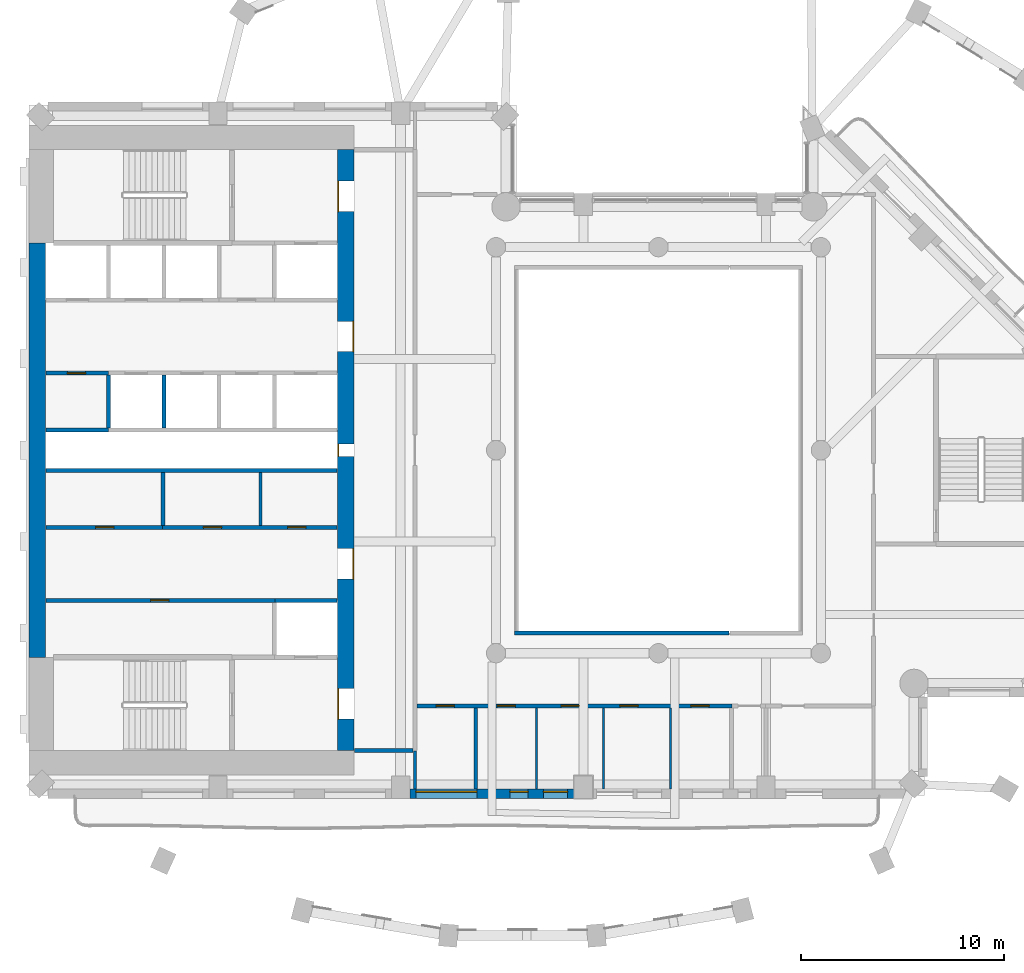
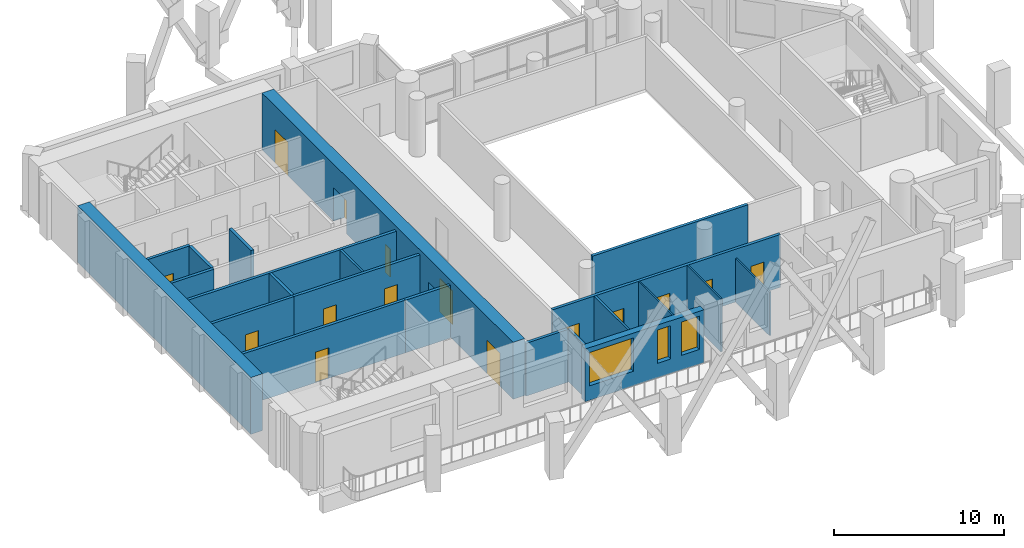
# One storey, part 4 of 15: 22 walls, 15 doors, 3 windows, 18 openings.
"""IFC4 building model written with IfcOpenShell, lengths in metres."""

from ifc_helpers import new_model, si_unit, direction, frame, frame_2d, origin, place, context, subcontext, project, spatial, rectangle, extrude, material, layer, layer_set, type_object, element, fill, save


model = new_model("IFC4")

# Units and contexts
model_context = context("Model", 3, precision=1e-05, world=origin(), true_north=direction((0.0, 1.0)))
body_context = subcontext(model_context, "Body", "Model", "MODEL_VIEW")
ifc_project = project(units=[si_unit("LENGTHUNIT", "METRE"), si_unit("AREAUNIT", "SQUARE_METRE"), si_unit("VOLUMEUNIT", "CUBIC_METRE"), si_unit("PLANEANGLEUNIT", "RADIAN"), si_unit("MASSUNIT", "GRAM", prefix="KILO")], contexts=[model_context])

# Site, building, storey
site_placement = place(None, origin())
site = spatial("IfcSite", under=ifc_project, at=site_placement, CompositionType="ELEMENT")
building_placement = place(site_placement, origin())
building = spatial("IfcBuilding", under=site, at=building_placement, Name="Cypress Arch Tower", CompositionType="ELEMENT")
storey_placement = place(building_placement, frame((0.0, 0.0, 205.60009765625)))
storey = spatial("IfcBuildingStorey", under=building, at=storey_placement, Name="L45", CompositionType="ELEMENT", Elevation=205.60009765625)

# Wall, openings, windows
ifc_material_1 = material(Name="Brick (red buff blend)", Category="masonry")
ifc_layer_1 = layer(ifc_material_1, 0.449951171875)
ifc_layer_set_1 = layer_set([ifc_layer_1], Name="Brick pier and spandrel wall BW450")
wall_type_1 = type_object("IfcWallType", Name="Brick pier and spandrel wall BW450", PredefinedType="SOLIDWALL", material=ifc_layer_set_1)
wall_1_placement = place(storey_placement, frame((-11.25, -16.925048828125, 0.0), z_axis=(0.0, 0.0, 1.0), x_axis=(1.0, 0.0, 0.0)))
wall_1 = element("IfcWall", 1, at=wall_1_placement, inside=storey, type_object=wall_type_1, Name="Brick wall L45 B01.2", PredefinedType="SOLIDWALL", context=body_context, shape_type="SweptSolid", body=[
    extrude(rectangle(XDim=8.10009765625, YDim=0.449951171875, at=frame_2d((4.050048828125, 0.0))), origin(), (0.0, 0.0, 1.0), 3.7998046875),
])
opening_1_placement = place(wall_1_placement, frame((0.300048828125, 0.0, 1.050048828125)))
opening_1 = element("IfcOpeningElement", 2, at=opening_1_placement, cuts=wall_1, Name="Opening W300OD", PredefinedType="OPENING", context=body_context, shape_type="SweptSolid", body=[
    extrude(rectangle(XDim=3.0, YDim=2.39990234375, at=frame_2d((1.5, 1.199951171875))), frame((0.0, 0.23486328125, 0.0), z_axis=(0.0, -1.0, 0.0), x_axis=(1.0, 0.0, 0.0)), (0.0, 0.0, 1.0), 0.469970703125),
])
opening_2_placement = place(wall_1_placement, frame((4.925048828125, 0.0, 1.050048828125)))
opening_2 = element("IfcOpeningElement", 3, at=opening_2_placement, cuts=wall_1, Name="Opening W090OD", PredefinedType="OPENING", context=body_context, shape_type="SweptSolid", body=[
    extrude(rectangle(XDim=0.89990234375, YDim=2.39990234375, at=frame_2d((0.449951171875, 1.199951171875))), frame((0.0, 0.23486328125, 0.0), z_axis=(0.0, -1.0, 0.0), x_axis=(1.0, 0.0, 0.0)), (0.0, 0.0, 1.0), 0.469970703125),
])
opening_3_placement = place(wall_1_placement, frame((6.574951171875, 0.0, 1.050048828125)))
opening_3 = element("IfcOpeningElement", 4, at=opening_3_placement, cuts=wall_1, Name="Opening W120OD", PredefinedType="OPENING", context=body_context, shape_type="SweptSolid", body=[
    extrude(rectangle(XDim=1.199951171875, YDim=2.39990234375, at=frame_2d((0.60009765625, 1.199951171875))), frame((0.0, 0.23486328125, 0.0), z_axis=(0.0, -1.0, 0.0), x_axis=(1.0, 0.0, 0.0)), (0.0, 0.0, 1.0), 0.469970703125),
])
ifc_material_2 = material(Name="Anodised aluminium, bronze finish, laminated low-emissivity double glazing, large-missile impact rated", Category="aluminium")
window_type_1 = type_object("IfcWindowType", Name="Window Office 1200x2400 debris-rated", PartitioningType="SINGLE_PANEL", PredefinedType="WINDOW", material=ifc_material_2)
window_1_placement = place(opening_3_placement, origin())
window_1 = element("IfcWindow", 5, at=window_1_placement, inside=storey, type_object=window_type_1, Name="Window L45 B01.2.2b", OverallHeight=2.39990234375, OverallWidth=1.199951171875, PartitioningType="SINGLE_PANEL", PredefinedType="WINDOW", context=body_context, shape_type="SweptSolid", body=[
    extrude(rectangle(XDim=1.199951171875, YDim=2.39990234375, at=frame_2d((0.60009765625, 1.199951171875))), frame((0.0, 0.135009765625, 0.0), z_axis=(0.0, -1.0, 0.0), x_axis=(1.0, 0.0, 0.0)), (0.0, 0.0, 1.0), 0.06005859375),
])
fill(opening_3, window_1)
ifc_material_3 = material(Name="Anodised aluminium, bronze finish, laminated low-emissivity double glazing, large-missile impact rated", Category="aluminium")
window_type_2 = type_object("IfcWindowType", Name="Window Office 3000x2400 debris-rated", PartitioningType="SINGLE_PANEL", PredefinedType="WINDOW", material=ifc_material_3)
window_2_placement = place(opening_1_placement, origin())
window_2 = element("IfcWindow", 6, at=window_2_placement, inside=storey, type_object=window_type_2, Name="Window L45 B01.2.1", OverallHeight=2.39990234375, OverallWidth=3.0, PartitioningType="SINGLE_PANEL", PredefinedType="WINDOW", context=body_context, shape_type="SweptSolid", body=[
    extrude(rectangle(XDim=3.0, YDim=2.39990234375, at=frame_2d((1.5, 1.199951171875))), frame((0.0, 0.135009765625, 0.0), z_axis=(0.0, -1.0, 0.0), x_axis=(1.0, 0.0, 0.0)), (0.0, 0.0, 1.0), 0.06005859375),
])
fill(opening_1, window_2)
ifc_material_4 = material(Name="Anodised aluminium, bronze finish, laminated low-emissivity double glazing, large-missile impact rated", Category="aluminium")
window_type_3 = type_object("IfcWindowType", Name="Window Office 900x2400 debris-rated", PartitioningType="SINGLE_PANEL", PredefinedType="WINDOW", material=ifc_material_4)
window_3_placement = place(opening_2_placement, origin())
window_3 = element("IfcWindow", 7, at=window_3_placement, inside=storey, type_object=window_type_3, Name="Window L45 B01.2.2", OverallHeight=2.39990234375, OverallWidth=0.89990234375, PartitioningType="SINGLE_PANEL", PredefinedType="WINDOW", context=body_context, shape_type="SweptSolid", body=[
    extrude(rectangle(XDim=0.89990234375, YDim=2.39990234375, at=frame_2d((0.449951171875, 1.199951171875))), frame((0.0, 0.135009765625, 0.0), z_axis=(0.0, -1.0, 0.0), x_axis=(1.0, 0.0, 0.0)), (0.0, 0.0, 1.0), 0.06005859375),
])
fill(opening_2, window_3)

# Wall, openings, doors
ifc_material_5 = material(Name="Concrete C70/85", Category="concrete")
ifc_layer_2 = layer(ifc_material_5, 0.800048828125)
ifc_layer_set_2 = layer_set([ifc_layer_2], Name="Core wall CW800 C70/85")
wall_type_2 = type_object("IfcWallType", Name="Core wall CW800 C70/85", PredefinedType="SHEAR", material=ifc_layer_set_2)
wall_2_placement = place(storey_placement, frame((-14.39990234375, -14.800048828125, 0.0), z_axis=(0.0, 0.0, 1.0), x_axis=(0.0, 1.0, 0.0)))
wall_2 = element("IfcWall", 8, at=wall_2_placement, inside=storey, type_object=wall_type_2, Name="Core wall", PredefinedType="SHEAR", context=body_context, shape_type="SweptSolid", body=[
    extrude(rectangle(XDim=29.60009765625, YDim=0.800048828125, at=frame_2d((14.800048828125, 0.0))), origin(), (0.0, 0.0, 1.0), 4.099853515625),
])
opening_4_placement = place(wall_2_placement, frame((1.550048828125, 0.0, 0.0)))
opening_4 = element("IfcOpeningElement", 9, at=opening_4_placement, cuts=wall_2, Name="Opening D07", PredefinedType="OPENING", context=body_context, shape_type="SweptSolid", body=[
    extrude(rectangle(XDim=1.5, YDim=2.39990234375, at=frame_2d((0.75, 1.199951171875))), frame((0.0, 0.409912109375, 0.0), z_axis=(0.0, -1.0, 0.0), x_axis=(1.0, 0.0, 0.0)), (0.0, 0.0, 1.0), 0.820068359375),
])
opening_5_placement = place(wall_2_placement, frame((26.550048828125, 0.0, 0.0)))
opening_5 = element("IfcOpeningElement", 10, at=opening_5_placement, cuts=wall_2, Name="Opening D07", PredefinedType="OPENING", context=body_context, shape_type="SweptSolid", body=[
    extrude(rectangle(XDim=1.5, YDim=2.39990234375, at=frame_2d((0.75, 1.199951171875))), frame((0.0, 0.409912109375, 0.0), z_axis=(0.0, -1.0, 0.0), x_axis=(1.0, 0.0, 0.0)), (0.0, 0.0, 1.0), 0.820068359375),
])
opening_6_placement = place(wall_2_placement, frame((8.449951171875, 0.0, 0.0)))
opening_6 = element("IfcOpeningElement", 11, at=opening_6_placement, cuts=wall_2, Name="Opening D07", PredefinedType="OPENING", context=body_context, shape_type="SweptSolid", body=[
    extrude(rectangle(XDim=1.5, YDim=2.39990234375, at=frame_2d((0.75, 1.199951171875))), frame((0.0, 0.409912109375, 0.0), z_axis=(0.0, -1.0, 0.0), x_axis=(1.0, 0.0, 0.0)), (0.0, 0.0, 1.0), 0.820068359375),
])
opening_7_placement = place(wall_2_placement, frame((19.64990234375, 0.0, 0.0)))
opening_7 = element("IfcOpeningElement", 12, at=opening_7_placement, cuts=wall_2, Name="Opening D07", PredefinedType="OPENING", context=body_context, shape_type="SweptSolid", body=[
    extrude(rectangle(XDim=1.5, YDim=2.39990234375, at=frame_2d((0.75, 1.199951171875))), frame((0.0, 0.409912109375, 0.0), z_axis=(0.0, -1.0, 0.0), x_axis=(1.0, 0.0, 0.0)), (0.0, 0.0, 1.0), 0.820068359375),
])
opening_8_placement = place(wall_2_placement, frame((14.5, 0.0, 0.0)))
opening_8 = element("IfcOpeningElement", 13, at=opening_8_placement, cuts=wall_2, Name="Opening D08", PredefinedType="OPENING", context=body_context, shape_type="SweptSolid", body=[
    extrude(rectangle(XDim=0.60009765625, YDim=2.0, at=frame_2d((0.300048828125, 1.0))), frame((0.0, 0.409912109375, 0.0), z_axis=(0.0, -1.0, 0.0), x_axis=(1.0, 0.0, 0.0)), (0.0, 0.0, 1.0), 0.820068359375),
])
ifc_material_6 = material(Name="Steel framed glazed door, fire resisting", Category="steel")
door_type_1 = type_object("IfcDoorType", Name="Lobby door D07 1500x2400", OperationType="DOUBLE_DOOR_SINGLE_SWING", PredefinedType="DOOR", material=ifc_material_6)
door_1_placement = place(opening_4_placement, origin())
door_1 = element("IfcDoor", 14, at=door_1_placement, inside=storey, type_object=door_type_1, Name="Lobby door", OperationType="DOUBLE_DOOR_SINGLE_SWING", OverallHeight=2.39990234375, OverallWidth=1.5, PredefinedType="DOOR", context=body_context, shape_type="SweptSolid", body=[
    extrude(rectangle(XDim=1.5, YDim=2.39990234375, at=frame_2d((0.75, 1.199951171875))), frame((0.0, 0.39501953125, 0.0), z_axis=(0.0, -1.0, 0.0), x_axis=(1.0, 0.0, 0.0)), (0.0, 0.0, 1.0), 0.050048828125),
])
fill(opening_4, door_1)
door_2_placement = place(opening_5_placement, origin())
door_2 = element("IfcDoor", 15, at=door_2_placement, inside=storey, type_object=door_type_1, Name="Lobby door", OperationType="DOUBLE_DOOR_SINGLE_SWING", OverallHeight=2.39990234375, OverallWidth=1.5, PredefinedType="DOOR", context=body_context, shape_type="SweptSolid", body=[
    extrude(rectangle(XDim=1.5, YDim=2.39990234375, at=frame_2d((0.75, 1.199951171875))), frame((0.0, 0.39501953125, 0.0), z_axis=(0.0, -1.0, 0.0), x_axis=(1.0, 0.0, 0.0)), (0.0, 0.0, 1.0), 0.050048828125),
])
fill(opening_5, door_2)
door_3_placement = place(opening_6_placement, origin())
door_3 = element("IfcDoor", 16, at=door_3_placement, inside=storey, type_object=door_type_1, Name="Lobby door", OperationType="DOUBLE_DOOR_SINGLE_SWING", OverallHeight=2.39990234375, OverallWidth=1.5, PredefinedType="DOOR", context=body_context, shape_type="SweptSolid", body=[
    extrude(rectangle(XDim=1.5, YDim=2.39990234375, at=frame_2d((0.75, 1.199951171875))), frame((0.0, -0.34521484375, 0.0), z_axis=(0.0, -1.0, 0.0), x_axis=(1.0, 0.0, 0.0)), (0.0, 0.0, 1.0), 0.050048828125),
])
fill(opening_6, door_3)
door_4_placement = place(opening_7_placement, origin())
door_4 = element("IfcDoor", 17, at=door_4_placement, inside=storey, type_object=door_type_1, Name="Lobby door", OperationType="DOUBLE_DOOR_SINGLE_SWING", OverallHeight=2.39990234375, OverallWidth=1.5, PredefinedType="DOOR", context=body_context, shape_type="SweptSolid", body=[
    extrude(rectangle(XDim=1.5, YDim=2.39990234375, at=frame_2d((0.75, 1.199951171875))), frame((0.0, -0.34521484375, 0.0), z_axis=(0.0, -1.0, 0.0), x_axis=(1.0, 0.0, 0.0)), (0.0, 0.0, 1.0), 0.050048828125),
])
fill(opening_7, door_4)
ifc_material_7 = material(Name="Steel access door, fire resisting", Category="steel")
door_type_2 = type_object("IfcDoorType", Name="Riser access door D08 600x2000", OperationType="SINGLE_SWING_LEFT", PredefinedType="DOOR", material=ifc_material_7)
door_5_placement = place(opening_8_placement, origin())
door_5 = element("IfcDoor", 18, at=door_5_placement, inside=storey, type_object=door_type_2, Name="Riser access door", OperationType="SINGLE_SWING_RIGHT", OverallHeight=2.0, OverallWidth=0.60009765625, PredefinedType="DOOR", context=body_context, shape_type="SweptSolid", body=[
    extrude(rectangle(XDim=0.60009765625, YDim=2.0, at=frame_2d((0.300048828125, 1.0))), frame((0.0, 0.39501953125, 0.0), z_axis=(0.0, -1.0, 0.0), x_axis=(1.0, 0.0, 0.0)), (0.0, 0.0, 1.0), 0.050048828125),
])
fill(opening_8, door_5)

# Wall
wall_3_placement = place(storey_placement, frame((-29.60009765625, -10.199951171875, 0.0), z_axis=(0.0, 0.0, 1.0), x_axis=(0.0, 1.0, 0.0)))
element("IfcWall", 19, at=wall_3_placement, inside=storey, type_object=wall_type_2, Name="Core wall", PredefinedType="SHEAR", context=body_context, shape_type="SweptSolid", body=[
    extrude(rectangle(XDim=20.39990234375, YDim=0.800048828125, at=frame_2d((10.199951171875, 0.0))), origin(), (0.0, 0.0, 1.0), 4.099853515625),
])

# Wall, opening, door
ifc_material_8 = material(Name="Concrete blockwork, plastered, rated", Category="masonry")
ifc_layer_3 = layer(ifc_material_8, 0.199951171875)
ifc_layer_set_3 = layer_set([ifc_layer_3], Name="Corridor wall FW200")
wall_type_3 = type_object("IfcWallType", Name="Corridor wall FW200", PredefinedType="PARTITIONING", material=ifc_layer_set_3)
wall_4_placement = place(storey_placement, frame((-29.169921875, 3.800048828125, 0.0), z_axis=(0.0, 0.0, 1.0), x_axis=(1.0, 0.0, 0.0)))
wall_4 = element("IfcWall", 20, at=wall_4_placement, inside=storey, type_object=wall_type_3, Name="Corridor wall", PredefinedType="PARTITIONING", context=body_context, shape_type="SweptSolid", body=[
    extrude(rectangle(XDim=3.08984375, YDim=0.199951171875, at=frame_2d((1.544921875, 0.0))), origin(), (0.0, 0.0, 1.0), 3.7998046875),
])
opening_9_placement = place(wall_4_placement, frame((1.050048828125, 0.0, 0.0)))
opening_9 = element("IfcOpeningElement", 21, at=opening_9_placement, cuts=wall_4, Name="Opening D05", PredefinedType="OPENING", context=body_context, shape_type="SweptSolid", body=[
    extrude(rectangle(XDim=0.89990234375, YDim=2.199951171875, at=frame_2d((0.449951171875, 1.10009765625))), frame((0.0, 0.10986328125, 0.0), z_axis=(0.0, -1.0, 0.0), x_axis=(1.0, 0.0, 0.0)), (0.0, 0.0, 1.0), 0.219970703125),
])
ifc_material_9 = material(Name="Timber flush door", Category="wood")
door_type_3 = type_object("IfcDoorType", Name="Service door D05 900x2200", OperationType="SINGLE_SWING_LEFT", PredefinedType="DOOR", material=ifc_material_9)
door_6_placement = place(opening_9_placement, origin())
door_6 = element("IfcDoor", 22, at=door_6_placement, inside=storey, type_object=door_type_3, Name="Service door", OperationType="SINGLE_SWING_LEFT", OverallHeight=2.199951171875, OverallWidth=0.89990234375, PredefinedType="DOOR", context=body_context, shape_type="SweptSolid", body=[
    extrude(rectangle(XDim=0.89990234375, YDim=2.199951171875, at=frame_2d((0.449951171875, 1.10009765625))), frame((0.0, 0.02490234375, 0.0), z_axis=(0.0, -1.0, 0.0), x_axis=(1.0, 0.0, 0.0)), (0.0, 0.0, 1.0), 0.050048828125),
])
fill(opening_9, door_6)

# Wall, openings, doors
wall_5_placement = place(storey_placement, frame((-23.419921875, -3.800048828125, 0.0), z_axis=(0.0, 0.0, 1.0), x_axis=(1.0, 0.0, 0.0)))
wall_5 = element("IfcWall", 23, at=wall_5_placement, inside=storey, type_object=wall_type_3, Name="Corridor wall", PredefinedType="PARTITIONING", context=body_context, shape_type="SweptSolid", body=[
    extrude(rectangle(XDim=8.58984375, YDim=0.199951171875, at=frame_2d((4.294921875, 0.0))), origin(), (0.0, 0.0, 1.0), 3.7998046875),
])
opening_10_placement = place(wall_5_placement, frame((2.0, 0.0, 0.0)))
opening_10 = element("IfcOpeningElement", 24, at=opening_10_placement, cuts=wall_5, Name="Opening D05", PredefinedType="OPENING", context=body_context, shape_type="SweptSolid", body=[
    extrude(rectangle(XDim=0.89990234375, YDim=2.199951171875, at=frame_2d((0.449951171875, 1.10009765625))), frame((0.0, 0.10986328125, 0.0), z_axis=(0.0, -1.0, 0.0), x_axis=(1.0, 0.0, 0.0)), (0.0, 0.0, 1.0), 0.219970703125),
])
opening_11_placement = place(wall_5_placement, frame((6.14990234375, 0.0, 0.0)))
opening_11 = element("IfcOpeningElement", 25, at=opening_11_placement, cuts=wall_5, Name="Opening D05", PredefinedType="OPENING", context=body_context, shape_type="SweptSolid", body=[
    extrude(rectangle(XDim=0.89990234375, YDim=2.199951171875, at=frame_2d((0.449951171875, 1.10009765625))), frame((0.0, 0.10986328125, 0.0), z_axis=(0.0, -1.0, 0.0), x_axis=(1.0, 0.0, 0.0)), (0.0, 0.0, 1.0), 0.219970703125),
])
door_7_placement = place(opening_10_placement, origin())
door_7 = element("IfcDoor", 26, at=door_7_placement, inside=storey, type_object=door_type_3, Name="Service door", OperationType="SINGLE_SWING_RIGHT", OverallHeight=2.199951171875, OverallWidth=0.89990234375, PredefinedType="DOOR", context=body_context, shape_type="SweptSolid", body=[
    extrude(rectangle(XDim=0.89990234375, YDim=2.199951171875, at=frame_2d((0.449951171875, 1.10009765625))), frame((0.0, 0.02490234375, 0.0), z_axis=(0.0, -1.0, 0.0), x_axis=(1.0, 0.0, 0.0)), (0.0, 0.0, 1.0), 0.050048828125),
])
fill(opening_10, door_7)
door_8_placement = place(opening_11_placement, origin())
door_8 = element("IfcDoor", 27, at=door_8_placement, inside=storey, type_object=door_type_3, Name="Service door", OperationType="SINGLE_SWING_LEFT", OverallHeight=2.199951171875, OverallWidth=0.89990234375, PredefinedType="DOOR", context=body_context, shape_type="SweptSolid", body=[
    extrude(rectangle(XDim=0.89990234375, YDim=2.199951171875, at=frame_2d((0.449951171875, 1.10009765625))), frame((0.0, 0.02490234375, 0.0), z_axis=(0.0, -1.0, 0.0), x_axis=(1.0, 0.0, 0.0)), (0.0, 0.0, 1.0), 0.050048828125),
])
fill(opening_11, door_8)

# Wall
wall_6_placement = place(storey_placement, frame((-13.969970703125, -14.800048828125, 0.0), z_axis=(0.0, 0.0, 1.0), x_axis=(1.0, 0.0, 0.0)))
element("IfcWall", 28, at=wall_6_placement, inside=storey, type_object=wall_type_3, Name="Corridor wall", PredefinedType="PARTITIONING", context=body_context, shape_type="SweptSolid", body=[
    extrude(rectangle(XDim=2.869873046875, YDim=0.199951171875, at=frame_2d((1.43505859375, 0.0))), origin(), (0.0, 0.0, 1.0), 3.7998046875),
])

# Wall, openings, doors
wall_7_placement = place(storey_placement, frame((-10.89990234375, -12.60009765625, 0.0), z_axis=(0.0, 0.0, 1.0), x_axis=(1.0, 0.0, 0.0)))
wall_7 = element("IfcWall", 29, at=wall_7_placement, inside=storey, type_object=wall_type_3, Name="Corridor wall", PredefinedType="PARTITIONING", context=body_context, shape_type="SweptSolid", body=[
    extrude(rectangle(XDim=15.52099609375, YDim=0.199951171875, at=frame_2d((7.760498046875, 0.0))), origin(), (0.0, 0.0, 1.0), 3.7998046875),
])
opening_12_placement = place(wall_7_placement, frame((0.949951171875, 0.0, 0.0)))
opening_12 = element("IfcOpeningElement", 30, at=opening_12_placement, cuts=wall_7, Name="Opening D05", PredefinedType="OPENING", context=body_context, shape_type="SweptSolid", body=[
    extrude(rectangle(XDim=0.89990234375, YDim=2.199951171875, at=frame_2d((0.449951171875, 1.10009765625))), frame((0.0, 0.10986328125, 0.0), z_axis=(0.0, -1.0, 0.0), x_axis=(1.0, 0.0, 0.0)), (0.0, 0.0, 1.0), 0.219970703125),
])
opening_13_placement = place(wall_7_placement, frame((3.949951171875, 0.0, 0.0)))
opening_13 = element("IfcOpeningElement", 31, at=opening_13_placement, cuts=wall_7, Name="Opening D05", PredefinedType="OPENING", context=body_context, shape_type="SweptSolid", body=[
    extrude(rectangle(XDim=0.89990234375, YDim=2.199951171875, at=frame_2d((0.449951171875, 1.10009765625))), frame((0.0, 0.10986328125, 0.0), z_axis=(0.0, -1.0, 0.0), x_axis=(1.0, 0.0, 0.0)), (0.0, 0.0, 1.0), 0.219970703125),
])
opening_14_placement = place(wall_7_placement, frame((7.10009765625, 0.0, 0.0)))
opening_14 = element("IfcOpeningElement", 32, at=opening_14_placement, cuts=wall_7, Name="Opening D03", PredefinedType="OPENING", context=body_context, shape_type="SweptSolid", body=[
    extrude(rectangle(XDim=0.89990234375, YDim=2.199951171875, at=frame_2d((0.449951171875, 1.10009765625))), frame((0.0, 0.10986328125, 0.0), z_axis=(0.0, -1.0, 0.0), x_axis=(1.0, 0.0, 0.0)), (0.0, 0.0, 1.0), 0.219970703125),
])
opening_15_placement = place(wall_7_placement, frame((10.0, 0.0, 0.0)))
opening_15 = element("IfcOpeningElement", 33, at=opening_15_placement, cuts=wall_7, Name="Opening D03", PredefinedType="OPENING", context=body_context, shape_type="SweptSolid", body=[
    extrude(rectangle(XDim=0.89990234375, YDim=2.199951171875, at=frame_2d((0.449951171875, 1.10009765625))), frame((0.0, 0.10986328125, 0.0), z_axis=(0.0, -1.0, 0.0), x_axis=(1.0, 0.0, 0.0)), (0.0, 0.0, 1.0), 0.219970703125),
])
opening_16_placement = place(wall_7_placement, frame((13.5, 0.0, 0.0)))
opening_16 = element("IfcOpeningElement", 34, at=opening_16_placement, cuts=wall_7, Name="Opening D03", PredefinedType="OPENING", context=body_context, shape_type="SweptSolid", body=[
    extrude(rectangle(XDim=0.89990234375, YDim=2.199951171875, at=frame_2d((0.449951171875, 1.10009765625))), frame((0.0, 0.10986328125, 0.0), z_axis=(0.0, -1.0, 0.0), x_axis=(1.0, 0.0, 0.0)), (0.0, 0.0, 1.0), 0.219970703125),
])
ifc_material_10 = material(Name="Timber flush door, moisture resistant", Category="wood")
door_type_4 = type_object("IfcDoorType", Name="Bathroom door D03 900x2200", OperationType="SINGLE_SWING_LEFT", PredefinedType="DOOR", material=ifc_material_10)
door_9_placement = place(opening_14_placement, origin())
door_9 = element("IfcDoor", 35, at=door_9_placement, inside=storey, type_object=door_type_4, Name="Bathroom door", OperationType="SINGLE_SWING_RIGHT", OverallHeight=2.199951171875, OverallWidth=0.89990234375, PredefinedType="DOOR", context=body_context, shape_type="SweptSolid", body=[
    extrude(rectangle(XDim=0.89990234375, YDim=2.199951171875, at=frame_2d((0.449951171875, 1.10009765625))), frame((0.0, 0.02490234375, 0.0), z_axis=(0.0, -1.0, 0.0), x_axis=(1.0, 0.0, 0.0)), (0.0, 0.0, 1.0), 0.050048828125),
])
fill(opening_14, door_9)
door_10_placement = place(opening_15_placement, origin())
door_10 = element("IfcDoor", 36, at=door_10_placement, inside=storey, type_object=door_type_4, Name="Bathroom door", OperationType="SINGLE_SWING_RIGHT", OverallHeight=2.199951171875, OverallWidth=0.89990234375, PredefinedType="DOOR", context=body_context, shape_type="SweptSolid", body=[
    extrude(rectangle(XDim=0.89990234375, YDim=2.199951171875, at=frame_2d((0.449951171875, 1.10009765625))), frame((0.0, 0.02490234375, 0.0), z_axis=(0.0, -1.0, 0.0), x_axis=(1.0, 0.0, 0.0)), (0.0, 0.0, 1.0), 0.050048828125),
])
fill(opening_15, door_10)
door_11_placement = place(opening_16_placement, origin())
door_11 = element("IfcDoor", 37, at=door_11_placement, inside=storey, type_object=door_type_4, Name="Bathroom door", OperationType="SINGLE_SWING_RIGHT", OverallHeight=2.199951171875, OverallWidth=0.89990234375, PredefinedType="DOOR", context=body_context, shape_type="SweptSolid", body=[
    extrude(rectangle(XDim=0.89990234375, YDim=2.199951171875, at=frame_2d((0.449951171875, 1.10009765625))), frame((0.0, 0.02490234375, 0.0), z_axis=(0.0, -1.0, 0.0), x_axis=(1.0, 0.0, 0.0)), (0.0, 0.0, 1.0), 0.050048828125),
])
fill(opening_16, door_11)
door_12_placement = place(opening_12_placement, origin())
door_12 = element("IfcDoor", 38, at=door_12_placement, inside=storey, type_object=door_type_3, Name="Service door", OperationType="SINGLE_SWING_RIGHT", OverallHeight=2.199951171875, OverallWidth=0.89990234375, PredefinedType="DOOR", context=body_context, shape_type="SweptSolid", body=[
    extrude(rectangle(XDim=0.89990234375, YDim=2.199951171875, at=frame_2d((0.449951171875, 1.10009765625))), frame((0.0, 0.02490234375, 0.0), z_axis=(0.0, -1.0, 0.0), x_axis=(1.0, 0.0, 0.0)), (0.0, 0.0, 1.0), 0.050048828125),
])
fill(opening_12, door_12)
door_13_placement = place(opening_13_placement, origin())
door_13 = element("IfcDoor", 39, at=door_13_placement, inside=storey, type_object=door_type_3, Name="Service door", OperationType="SINGLE_SWING_RIGHT", OverallHeight=2.199951171875, OverallWidth=0.89990234375, PredefinedType="DOOR", context=body_context, shape_type="SweptSolid", body=[
    extrude(rectangle(XDim=0.89990234375, YDim=2.199951171875, at=frame_2d((0.449951171875, 1.10009765625))), frame((0.0, 0.02490234375, 0.0), z_axis=(0.0, -1.0, 0.0), x_axis=(1.0, 0.0, 0.0)), (0.0, 0.0, 1.0), 0.050048828125),
])
fill(opening_13, door_13)

# Walls
wall_8_placement = place(storey_placement, frame((-6.10009765625, -9.0, 0.0), z_axis=(0.0, 0.0, 1.0), x_axis=(1.0, 0.0, 0.0)))
element("IfcWall", 40, at=wall_8_placement, inside=storey, type_object=wall_type_3, Name="Corridor wall", PredefinedType="PARTITIONING", context=body_context, shape_type="SweptSolid", body=[
    extrude(rectangle(XDim=10.580078125, YDim=0.199951171875, at=frame_2d((5.2900390625, 0.0))), origin(), (0.0, 0.0, 1.0), 3.7998046875),
])
ifc_material_11 = material(Name="Blockwork, plastered both sides", Category="masonry")
ifc_layer_4 = layer(ifc_material_11, 0.14990234375)
ifc_layer_set_4 = layer_set([ifc_layer_4], Name="Partition PW150")
wall_type_4 = type_object("IfcWallType", Name="Partition PW150", PredefinedType="PARTITIONING", material=ifc_layer_set_4)
wall_9_placement = place(storey_placement, frame((-18.60009765625, -3.699951171875, 0.0), z_axis=(0.0, 0.0, 1.0), x_axis=(0.0, 1.0, 0.0)))
element("IfcWall", 41, at=wall_9_placement, inside=storey, type_object=wall_type_4, Name="Partition", PredefinedType="PARTITIONING", context=body_context, shape_type="SweptSolid", body=[
    extrude(rectangle(XDim=2.599853515625, YDim=0.14990234375, at=frame_2d((1.2998046875, 0.0))), origin(), (0.0, 0.0, 1.0), 3.7998046875),
])
wall_10_placement = place(storey_placement, frame((-11.0, -16.699951171875, 0.0), z_axis=(0.0, 0.0, 1.0), x_axis=(0.0, 1.0, 0.0)))
element("IfcWall", 42, at=wall_10_placement, inside=storey, type_object=wall_type_4, Name="Partition", PredefinedType="PARTITIONING", context=body_context, shape_type="SweptSolid", body=[
    extrude(rectangle(XDim=1.8798828125, YDim=0.14990234375, at=frame_2d((0.93994140625, 0.0))), origin(), (0.0, 0.0, 1.0), 3.7998046875),
])
wall_11_placement = place(storey_placement, frame((-8.0, -16.699951171875, 0.0), z_axis=(0.0, 0.0, 1.0), x_axis=(0.0, 1.0, 0.0)))
element("IfcWall", 43, at=wall_11_placement, inside=storey, type_object=wall_type_4, Name="Partition", PredefinedType="PARTITIONING", context=body_context, shape_type="SweptSolid", body=[
    extrude(rectangle(XDim=4.0, YDim=0.14990234375, at=frame_2d((2.0, 0.0))), origin(), (0.0, 0.0, 1.0), 3.7998046875),
])

# Wall, opening, door
ifc_material_12 = material(Name="Reinforced blockwork, plastered, rated", Category="masonry")
ifc_layer_5 = layer(ifc_material_12, 0.199951171875)
ifc_layer_set_5 = layer_set([ifc_layer_5], Name="Plant and riser wall PL200")
wall_type_5 = type_object("IfcWallType", Name="Plant and riser wall PL200", PredefinedType="PARTITIONING", material=ifc_layer_set_5)
wall_12_placement = place(storey_placement, frame((-29.169921875, -7.39990234375, 0.0), z_axis=(0.0, 0.0, 1.0), x_axis=(1.0, 0.0, 0.0)))
wall_12 = element("IfcWall", 44, at=wall_12_placement, inside=storey, type_object=wall_type_5, Name="Plant and riser wall", PredefinedType="PARTITIONING", context=body_context, shape_type="SweptSolid", body=[
    extrude(rectangle(XDim=11.27001953125, YDim=0.199951171875, at=frame_2d((5.635009765625, 0.0))), origin(), (0.0, 0.0, 1.0), 3.7998046875),
])
opening_17_placement = place(wall_12_placement, frame((5.14990234375, 0.0, 0.0)))
opening_17 = element("IfcOpeningElement", 45, at=opening_17_placement, cuts=wall_12, Name="Opening D05", PredefinedType="OPENING", context=body_context, shape_type="SweptSolid", body=[
    extrude(rectangle(XDim=0.89990234375, YDim=2.199951171875, at=frame_2d((0.449951171875, 1.10009765625))), frame((0.0, 0.10986328125, 0.0), z_axis=(0.0, -1.0, 0.0), x_axis=(1.0, 0.0, 0.0)), (0.0, 0.0, 1.0), 0.219970703125),
])
door_14_placement = place(opening_17_placement, origin())
door_14 = element("IfcDoor", 46, at=door_14_placement, inside=storey, type_object=door_type_3, Name="Service door", OperationType="SINGLE_SWING_RIGHT", OverallHeight=2.199951171875, OverallWidth=0.89990234375, PredefinedType="DOOR", context=body_context, shape_type="SweptSolid", body=[
    extrude(rectangle(XDim=0.89990234375, YDim=2.199951171875, at=frame_2d((0.449951171875, 1.10009765625))), frame((0.0, 0.02490234375, 0.0), z_axis=(0.0, -1.0, 0.0), x_axis=(1.0, 0.0, 0.0)), (0.0, 0.0, 1.0), 0.050048828125),
])
fill(opening_17, door_14)

wall_13_placement = place(storey_placement, frame((-29.169921875, -3.800048828125, 0.0), z_axis=(0.0, 0.0, 1.0), x_axis=(1.0, 0.0, 0.0)))
wall_13 = element("IfcWall", 47, at=wall_13_placement, inside=storey, type_object=wall_type_5, Name="Plant and riser wall", PredefinedType="PARTITIONING", context=body_context, shape_type="SweptSolid", body=[
    extrude(rectangle(XDim=5.75, YDim=0.199951171875, at=frame_2d((2.875, 0.0))), origin(), (0.0, 0.0, 1.0), 3.7998046875),
])
opening_18_placement = place(wall_13_placement, frame((2.449951171875, 0.0, 0.0)))
opening_18 = element("IfcOpeningElement", 48, at=opening_18_placement, cuts=wall_13, Name="Opening D05", PredefinedType="OPENING", context=body_context, shape_type="SweptSolid", body=[
    extrude(rectangle(XDim=0.89990234375, YDim=2.199951171875, at=frame_2d((0.449951171875, 1.10009765625))), frame((0.0, 0.10986328125, 0.0), z_axis=(0.0, -1.0, 0.0), x_axis=(1.0, 0.0, 0.0)), (0.0, 0.0, 1.0), 0.219970703125),
])
door_15_placement = place(opening_18_placement, origin())
door_15 = element("IfcDoor", 49, at=door_15_placement, inside=storey, type_object=door_type_3, Name="Service door", OperationType="SINGLE_SWING_RIGHT", OverallHeight=2.199951171875, OverallWidth=0.89990234375, PredefinedType="DOOR", context=body_context, shape_type="SweptSolid", body=[
    extrude(rectangle(XDim=0.89990234375, YDim=2.199951171875, at=frame_2d((0.449951171875, 1.10009765625))), frame((0.0, 0.02490234375, 0.0), z_axis=(0.0, -1.0, 0.0), x_axis=(1.0, 0.0, 0.0)), (0.0, 0.0, 1.0), 0.050048828125),
])
fill(opening_18, door_15)

# Walls
wall_14_placement = place(storey_placement, frame((-29.169921875, -1.0, 0.0), z_axis=(0.0, 0.0, 1.0), x_axis=(1.0, 0.0, 0.0)))
element("IfcWall", 50, at=wall_14_placement, inside=storey, type_object=wall_type_5, Name="Plant and riser wall", PredefinedType="PARTITIONING", context=body_context, shape_type="SweptSolid", body=[
    extrude(rectangle(XDim=14.33984375, YDim=0.199951171875, at=frame_2d((7.169921875, 0.0))), origin(), (0.0, 0.0, 1.0), 3.7998046875),
])
wall_15_placement = place(storey_placement, frame((-29.169921875, 1.0, 0.0), z_axis=(0.0, 0.0, 1.0), x_axis=(1.0, 0.0, 0.0)))
element("IfcWall", 51, at=wall_15_placement, inside=storey, type_object=wall_type_5, Name="Plant and riser wall", PredefinedType="PARTITIONING", context=body_context, shape_type="SweptSolid", body=[
    extrude(rectangle(XDim=3.08984375, YDim=0.199951171875, at=frame_2d((1.544921875, 0.0))), origin(), (0.0, 0.0, 1.0), 3.7998046875),
])
wall_16_placement = place(storey_placement, frame((-23.39990234375, -3.699951171875, 0.0), z_axis=(0.0, 0.0, 1.0), x_axis=(0.0, 1.0, 0.0)))
element("IfcWall", 52, at=wall_16_placement, inside=storey, type_object=wall_type_5, Name="Plant and riser wall", PredefinedType="PARTITIONING", context=body_context, shape_type="SweptSolid", body=[
    extrude(rectangle(XDim=2.599853515625, YDim=0.199951171875, at=frame_2d((1.2998046875, 0.0))), origin(), (0.0, 0.0, 1.0), 3.7998046875),
])
ifc_material_13 = material(Name="Concrete C50/60", Category="concrete")
ifc_layer_6 = layer(ifc_material_13, 0.199951171875)
ifc_layer_set_6 = layer_set([ifc_layer_6], Name="Shaft wall SH200")
wall_type_6 = type_object("IfcWallType", Name="Shaft wall SH200", PredefinedType="SHEAR", material=ifc_layer_set_6)
wall_17_placement = place(storey_placement, frame((-26.080078125, 1.10009765625, 0.0), z_axis=(0.0, 0.0, 1.0), x_axis=(0.0, 1.0, 0.0)))
element("IfcWall", 53, at=wall_17_placement, inside=storey, type_object=wall_type_6, Name="Shaft wall", PredefinedType="SHEAR", context=body_context, shape_type="SweptSolid", body=[
    extrude(rectangle(XDim=2.599853515625, YDim=0.199951171875, at=frame_2d((1.2998046875, 0.0))), origin(), (0.0, 0.0, 1.0), 3.7998046875),
])
wall_18_placement = place(storey_placement, frame((-23.360107421875, 1.10009765625, 0.0), z_axis=(0.0, 0.0, 1.0), x_axis=(0.0, 1.0, 0.0)))
element("IfcWall", 54, at=wall_18_placement, inside=storey, type_object=wall_type_6, Name="Shaft wall", PredefinedType="SHEAR", context=body_context, shape_type="SweptSolid", body=[
    extrude(rectangle(XDim=2.599853515625, YDim=0.199951171875, at=frame_2d((1.2998046875, 0.0))), origin(), (0.0, 0.0, 1.0), 4.099853515625),
])
wall_19_placement = place(storey_placement, frame((-17.89990234375, -7.39990234375, 0.0), z_axis=(0.0, 0.0, 1.0), x_axis=(1.0, 0.0, 0.0)))
element("IfcWall", 55, at=wall_19_placement, inside=storey, type_object=wall_type_6, Name="Shaft wall", PredefinedType="SHEAR", context=body_context, shape_type="SweptSolid", body=[
    extrude(rectangle(XDim=3.06982421875, YDim=0.199951171875, at=frame_2d((1.534912109375, 0.0))), origin(), (0.0, 0.0, 1.0), 3.7998046875),
])
ifc_material_14 = material(Name="Moisture resistant board on steel studs, tiled", Category="steel")
ifc_layer_7 = layer(ifc_material_14, 0.10009765625)
ifc_layer_set_7 = layer_set([ifc_layer_7], Name="Wet wall PW100")
wall_type_7 = type_object("IfcWallType", Name="Wet wall PW100", PredefinedType="PARTITIONING", material=ifc_layer_set_7)
for number, where, z_axis, x_axis, name in (
    (56, (-5.0, -16.699951171875, 0.0), (0.0, 0.0, 1.0), (0.0, 1.0, 0.0), "Wet wall"),
    (57, (-1.698974609375, -16.699951171875, 0.0), (0.0, 0.0, 1.0), (0.0, 1.0, 0.0), "Wet wall"),
):
    element("IfcWall", number, at=place(storey_placement, frame(where, z_axis=z_axis, x_axis=x_axis)), inside=storey, type_object=wall_type_7, Name=name, PredefinedType="PARTITIONING", context=body_context, shape_type="SweptSolid", body=[
        extrude(rectangle(XDim=4.0, YDim=0.10009765625, at=frame_2d((2.0, 0.0))), origin(), (0.0, 0.0, 1.0), 3.7998046875),
    ])
wall_20_placement = place(storey_placement, frame((1.60107421875, -16.699951171875, 0.0), z_axis=(0.0, 0.0, 1.0), x_axis=(0.0, 1.0, 0.0)))
element("IfcWall", 58, at=wall_20_placement, inside=storey, type_object=wall_type_7, Name="Wet wall", PredefinedType="PARTITIONING", context=body_context, shape_type="SweptSolid", body=[
    extrude(rectangle(XDim=4.0, YDim=0.10009765625, at=frame_2d((2.0, 0.0))), origin(), (0.0, 0.0, 1.0), 3.14990234375),
])

save(model, "model.ifc")
